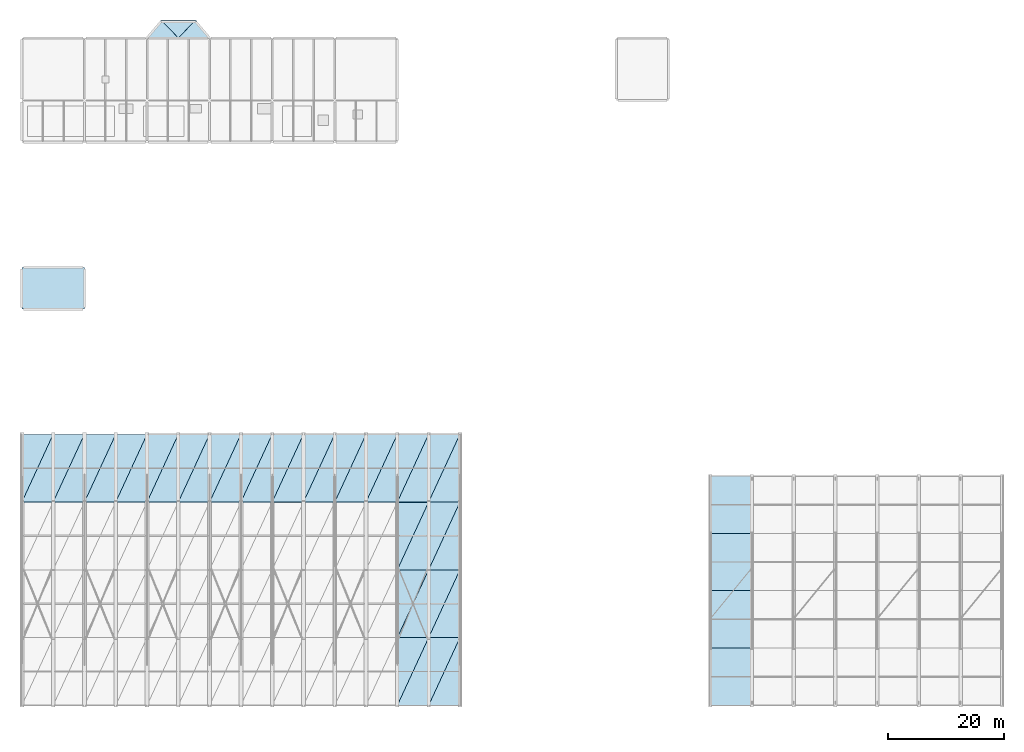
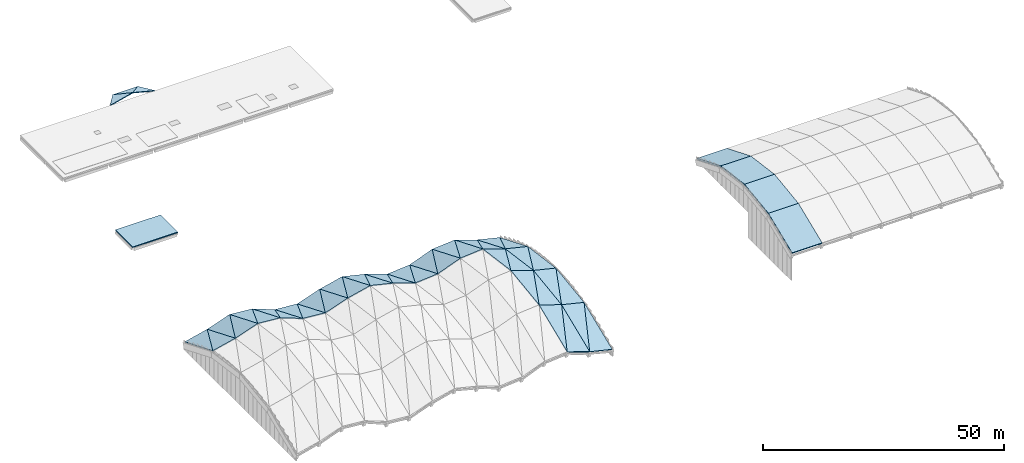
# One storey, part 7 of 22: 48 slabs.
"""IFC4 building model written with IfcOpenShell, lengths in metres."""

from ifc_helpers import new_model, si_unit, direction, frame, origin, place, context, subcontext, project, spatial, polyline, outline, extrude, material, layer, layer_set, type_object, element, save


model = new_model("IFC4")

# Units and contexts
model_context = context("Model", 3, precision=1e-05, world=origin(), true_north=direction((0.0, 1.0)))
body_context = subcontext(model_context, "Body", "Model", "MODEL_VIEW")
ifc_project = project(units=[si_unit("LENGTHUNIT", "METRE"), si_unit("AREAUNIT", "SQUARE_METRE"), si_unit("VOLUMEUNIT", "CUBIC_METRE"), si_unit("PLANEANGLEUNIT", "RADIAN"), si_unit("MASSUNIT", "GRAM", prefix="KILO")], contexts=[model_context])

# Site, building, storey
site_placement = place(None, origin())
site = spatial("IfcSite", under=ifc_project, at=site_placement, CompositionType="ELEMENT")
building_placement = place(site_placement, origin())
building = spatial("IfcBuilding", under=site, at=building_placement, Name="Lusvemor Sports Hall", CompositionType="ELEMENT")
storey_placement = place(building_placement, frame((0.0, 0.0, 23.39990234375)))
storey = spatial("IfcBuildingStorey", under=building, at=storey_placement, Name="Roof", CompositionType="ELEMENT", Elevation=23.39990234375)

# Slabs
ifc_material_1 = material(Name="Concrete C40/50", Category="concrete")
ifc_layer_1 = layer(ifc_material_1, 0.22998046875)
ifc_layer_set_1 = layer_set([ifc_layer_1], Name="Concrete C40/50")
slab_type_1 = type_object("IfcSlabType", Name="ROOF_AISLE_235", PredefinedType="ROOF", material=ifc_layer_set_1)
slab_1_placement = place(storey_placement, frame((0.0, 0.0, -0.22998046875)))
element("IfcSlab", 1, at=slab_1_placement, inside=storey, type_object=slab_type_1, Name="Roof Slab SLAB-ROOF-C3", PredefinedType="ROOF", context=body_context, shape_type="SweptSolid", body=[
    extrude(outline(polyline([(0.0, 68.39990234375), (10.800048828125, 68.39990234375), (10.800048828125, 75.60009765625), (0.0, 75.60009765625), (0.0, 68.39990234375)])), origin(), (0.0, 0.0, 1.0), 0.22998046875),
])
ifc_material_2 = material(Name="Concrete C40/50", Category="concrete")
ifc_layer_2 = layer(ifc_material_2, 0.169921875)
ifc_layer_set_2 = layer_set([ifc_layer_2], Name="Concrete C40/50")
slab_type_2 = type_object("IfcSlabType", Name="ROOF_LANTERN_170", PredefinedType="ROOF", material=ifc_layer_set_2)
slab_2_placement = place(storey_placement, frame((21.60009765625, 115.199951171875, 0.0), z_axis=(-0.238390056876, 0.184546720672, 0.953474010486), x_axis=(0.612145560658, 0.790745099616, 0.0)))
element("IfcSlab", 2, at=slab_2_placement, inside=storey, type_object=slab_type_2, Name="Art Nouveau Faceted Pavilion Roof BOW-N1-1", PredefinedType="ROOF", context=body_context, shape_type="SweptSolid", body=[
    extrude(outline(polyline([(0.0, 0.0), (3.9204765957499976, 2.220446049250313e-16), (3.305526247710608, -4.478303833947036), (0.0, 0.0)])), origin(), (0.0, 0.0, -1.0), 0.169921875),
])
slab_3_placement = place(storey_placement, frame((24.0, 118.300048828125, 0.0), z_axis=(0.0, 0.399280471996, 0.916828830634), x_axis=(1.0, 0.0, 0.0)))
element("IfcSlab", 3, at=slab_3_placement, inside=storey, type_object=slab_type_2, Name="Art Nouveau Faceted Pavilion Roof BOW-N1-2", PredefinedType="ROOF", context=body_context, shape_type="SweptSolid", body=[
    extrude(outline(polyline([(0.0, 0.0), (6.0, 0.0), (3.0, -3.3813265384606805), (0.0, 0.0)])), origin(), (0.0, 0.0, -1.0), 0.169921875),
])
slab_4_placement = place(storey_placement, frame((30.0, 118.300048828125, 0.0), z_axis=(0.238390056876, 0.184546720672, 0.953474010486), x_axis=(0.612145560658, -0.790745099616, 0.0)))
element("IfcSlab", 4, at=slab_4_placement, inside=storey, type_object=slab_type_2, Name="Art Nouveau Faceted Pavilion Roof BOW-N1-3", PredefinedType="ROOF", context=body_context, shape_type="SweptSolid", body=[
    extrude(outline(polyline([(0.0, 0.0), (3.9204765957499976, -2.220446049250313e-16), (0.6149503480393896, -4.478303833947036), (0.0, 0.0)])), origin(), (0.0, 0.0, -1.0), 0.169921875),
])
ifc_material_3 = material(Name="Concrete C40/50", Category="concrete")
ifc_layer_3 = layer(ifc_material_3, 0.360107421875)
ifc_layer_set_3 = layer_set([ifc_layer_3], Name="Concrete C40/50")
slab_type_3 = type_object("IfcSlabType", Name="ROOF_VAULT2_205", PredefinedType="ROOF", material=ifc_layer_set_3)
slab_5_placement = place(storey_placement, frame((118.800048828125, 0.0, -1.599853515625), z_axis=(0.0, -0.378639955723, 0.925544047536), x_axis=(1.0, 0.0, 0.0)))
element("IfcSlab", 5, at=slab_5_placement, inside=storey, type_object=slab_type_3, Name="East Barrel-Vault Roof Facet 13-1", PredefinedType="ROOF", context=body_context, shape_type="SweptSolid", body=[
    extrude(outline(polyline([(0.0, 0.0), (7.199951171875, 0.0), (7.199951171875, 10.696305994406828), (0.0, 10.696305994406828), (0.0, 0.0)])), origin(), (0.0, 0.0, -1.0), 0.360107421875),
])
slab_6_placement = place(storey_placement, frame((118.800048828125, 9.89990234375, 2.4501953125), z_axis=(0.0, -0.135096849146, 0.990832398214), x_axis=(1.0, 0.0, 0.0)))
element("IfcSlab", 6, at=slab_6_placement, inside=storey, type_object=slab_type_3, Name="East Barrel-Vault Roof Facet 13-2", PredefinedType="ROOF", context=body_context, shape_type="SweptSolid", body=[
    extrude(outline(polyline([(0.0, 0.0), (7.199951171875, 0.0), (7.199951171875, 9.991746840554352), (0.0, 9.991746840554352), (0.0, 0.0)])), origin(), (0.0, 0.0, -1.0), 0.360107421875),
])
slab_7_placement = place(storey_placement, frame((118.800048828125, 19.800048828125, 3.800048828125), z_axis=(0.0, 0.13510011995, 0.990831952245), x_axis=(1.0, 0.0, 0.0)))
element("IfcSlab", 7, at=slab_7_placement, inside=storey, type_object=slab_type_3, Name="East Barrel-Vault Roof Facet 13-3", PredefinedType="ROOF", context=body_context, shape_type="SweptSolid", body=[
    extrude(outline(polyline([(0.0, 0.0), (7.199951171875, 0.0), (7.199951171875, 9.99150493816782), (0.0, 9.99150493816782), (0.0, 0.0)])), origin(), (0.0, 0.0, -1.0), 0.360107421875),
])
slab_8_placement = place(storey_placement, frame((118.800048828125, 29.699951171875, 2.4501953125), z_axis=(0.0, 0.378631956987, 0.925547319778), x_axis=(1.0, 0.0, 0.0)))
element("IfcSlab", 8, at=slab_8_placement, inside=storey, type_object=slab_type_3, Name="East Barrel-Vault Roof Facet 13-4", PredefinedType="ROOF", context=body_context, shape_type="SweptSolid", body=[
    extrude(outline(polyline([(0.0, 0.0), (7.199951171875, 0.0), (7.199951171875, 10.696531957708505), (0.0, 10.696531957708505), (0.0, 0.0)])), origin(), (0.0, 0.0, -1.0), 0.360107421875),
])
ifc_material_4 = material(Name="Concrete C40/50", Category="concrete")
ifc_layer_4 = layer(ifc_material_4, 0.2099609375)
ifc_layer_set_4 = layer_set([ifc_layer_4], Name="Concrete C40/50")
slab_type_4 = type_object("IfcSlabType", Name="ROOF_WAVE_210", PredefinedType="ROOF", material=ifc_layer_set_4)
slab_9_placement = place(storey_placement, frame((64.800048828125, 11.699951171875, -2.981689453125), z_axis=(0.323734657307, -0.128778797008, 0.937342996506), x_axis=(0.945213463751, 0.0, -0.326452918419)))
element("IfcSlab", 9, at=slab_9_placement, inside=storey, type_object=slab_type_4, Name="Wave Barrel-Vault Roof Facet 13-2A", PredefinedType="ROOF", context=body_context, shape_type="SweptSolid", body=[
    extrude(outline(polyline([(0.0, 0.0), (5.712891903086462, -2.7755575615628914e-17), (5.188144340862129, 11.798190645367082), (0.0, 0.0)])), origin(), (0.0, 0.0, -1.0), 0.2099609375),
])
slab_10_placement = place(storey_placement, frame((64.800048828125, 11.699951171875, -2.981689453125), z_axis=(0.323734657307, -0.128778797008, 0.937342996506), x_axis=(0.418969683974, 0.907780276927, -0.019984312171)))
element("IfcSlab", 10, at=slab_10_placement, inside=storey, type_object=slab_type_4, Name="Wave Barrel-Vault Roof Facet 13-2B", PredefinedType="ROOF", context=body_context, shape_type="SweptSolid", body=[
    extrude(outline(polyline([(0.0, 0.0), (12.888527619788347, -5.551115123125783e-16), (10.588861694299036, 5.229595637092245), (0.0, 0.0)])), origin(), (0.0, 0.0, -1.0), 0.2099609375),
])
slab_11_placement = place(storey_placement, frame((64.800048828125, 23.39990234375, -1.374267578125), z_axis=(0.323734769333, 0.128776154424, 0.937343320868), x_axis=(0.945213463751, 0.0, -0.326452918419)))
element("IfcSlab", 11, at=slab_11_placement, inside=storey, type_object=slab_type_4, Name="Wave Barrel-Vault Roof Facet 13-3A", PredefinedType="ROOF", context=body_context, shape_type="SweptSolid", body=[
    extrude(outline(polyline([(0.0, 0.0), (5.712891903086462, 2.7755575615628914e-17), (6.237639465310796, 11.798432753159002), (0.0, 0.0)])), origin(), (0.0, 0.0, -1.0), 0.2099609375),
])
slab_12_placement = place(storey_placement, frame((64.800048828125, 23.39990234375, -1.374267578125), z_axis=(0.323734769333, 0.128776154424, 0.937343320868), x_axis=(0.404613470973, 0.876693009444, -0.260187060206)))
element("IfcSlab", 12, at=slab_12_placement, inside=storey, type_object=slab_type_4, Name="Wave Barrel-Vault Roof Facet 13-3B", PredefinedType="ROOF", context=body_context, shape_type="SweptSolid", body=[
    extrude(outline(polyline([(0.0, 0.0), (13.345829368383885, -3.3306690738754696e-16), (10.675709811770535, 5.050504474776929), (0.0, 0.0)])), origin(), (0.0, 0.0, -1.0), 0.2099609375),
])
slab_13_placement = place(storey_placement, frame((70.199951171875, 11.699951171875, -4.8466796875), z_axis=(0.230427791285, -0.132465510426, 0.964031079142), x_axis=(0.97260202241, 0.0, -0.232476463334)))
element("IfcSlab", 13, at=slab_13_placement, inside=storey, type_object=slab_type_4, Name="Wave Barrel-Vault Roof Facet 14-2A", PredefinedType="ROOF", context=body_context, shape_type="SweptSolid", body=[
    extrude(outline(polyline([(0.0, 0.0), (5.552267381672403, 0.0), (5.178522872137908, 11.8039723179804), (0.0, 0.0)])), origin(), (0.0, 0.0, -1.0), 0.2099609375),
])
slab_14_placement = place(storey_placement, frame((70.199951171875, 11.699951171875, -4.8466796875), z_axis=(0.230387134869, -0.132447077123, 0.964043328823), x_axis=(0.418942328076, 0.907679966925, 0.024584616929)))
element("IfcSlab", 14, at=slab_14_placement, inside=storey, type_object=slab_type_4, Name="Wave Barrel-Vault Roof Facet 14-2B", PredefinedType="ROOF", context=body_context, shape_type="SweptSolid", body=[
    extrude(outline(polyline([(0.0, 0.0), (12.889951963483146, -8.326672684688674e-17), (10.659329143747275, 5.084423734677086), (0.0, 0.0)])), origin(), (0.0, 0.0, -1.0), 0.2099609375),
])
slab_15_placement = place(storey_placement, frame((70.199951171875, 23.39990234375, -3.2392578125), z_axis=(0.230386605343, 0.132464125061, 0.96404111305), x_axis=(0.972611963853, 0.0, -0.232434867803)))
element("IfcSlab", 15, at=slab_15_placement, inside=storey, type_object=slab_type_4, Name="Wave Barrel-Vault Roof Facet 14-3A", PredefinedType="ROOF", context=body_context, shape_type="SweptSolid", body=[
    extrude(outline(polyline([(0.0, 0.0), (5.5522106298009, 2.7755575615628914e-17), (5.92588826761344, 11.804216424288457), (0.0, 0.0)])), origin(), (0.0, 0.0, -1.0), 0.2099609375),
])
slab_16_placement = place(storey_placement, frame((70.199951171875, 23.39990234375, -3.2392578125), z_axis=(0.230428489608, 0.132443031895, 0.964034000687), x_axis=(0.408849044596, 0.885830354591, -0.219424341444)))
element("IfcSlab", 16, at=slab_16_placement, inside=storey, type_object=slab_type_4, Name="Wave Barrel-Vault Roof Facet 14-3B", PredefinedType="ROOF", context=body_context, shape_type="SweptSolid", body=[
    extrude(outline(polyline([(0.0, 0.0), (13.208167062529153, 2.220446049250313e-16), (10.71709564880238, 4.96207983503859), (0.0, 0.0)])), origin(), (0.0, 0.0, -1.0), 0.2099609375),
])
ifc_material_5 = material(Name="Concrete C40/50", Category="concrete")
ifc_layer_5 = layer(ifc_material_5, 0.195068359375)
ifc_layer_set_5 = layer_set([ifc_layer_5], Name="Concrete C40/50")
slab_type_5 = type_object("IfcSlabType", Name="ROOF_WAVE_EAVE_195", PredefinedType="ROOF", material=ifc_layer_set_5)
slab_17_placement = place(storey_placement, frame((0.0, 35.10009765625, -6.137451171875), z_axis=(-0.215792060613, 0.372101201165, 0.902759371409), x_axis=(0.972599645813, 0.0, 0.232486405978)))
element("IfcSlab", 17, at=slab_17_placement, inside=storey, type_object=slab_type_5, Name="Wave Barrel-Vault Roof Facet 01-4A", PredefinedType="ROOF", context=body_context, shape_type="SweptSolid", body=[
    extrude(outline(polyline([(0.0, 0.0), (5.5520299302968805, 0.0), (4.430861967094661, 12.60509580535177), (0.0, 0.0)])), origin(), (0.0, 0.0, -1.0), 0.195068359375),
])
slab_18_placement = place(storey_placement, frame((0.0, 35.10009765625, -6.137451171875), z_axis=(-0.215792060613, 0.372101201165, 0.902759371409), x_axis=(0.404148784546, 0.875667881445, -0.264328434634)))
element("IfcSlab", 18, at=slab_18_placement, inside=storey, type_object=slab_type_5, Name="Wave Barrel-Vault Roof Facet 01-4B", PredefinedType="ROOF", context=body_context, shape_type="SweptSolid", body=[
    extrude(outline(polyline([(0.0, 0.0), (13.361174275996204, 0.0), (11.519997913038429, 5.2378531811609585), (0.0, 0.0)])), origin(), (0.0, 0.0, -1.0), 0.195068359375),
])
slab_19_placement = place(storey_placement, frame((5.39990234375, 35.10009765625, -4.8466796875), z_axis=(-0.304170036605, 0.363023278915, 0.880735310861), x_axis=(0.945218017812, 0.0, 0.326439732269)))
element("IfcSlab", 19, at=slab_19_placement, inside=storey, type_object=slab_type_5, Name="Wave Barrel-Vault Roof Facet 02-4A", PredefinedType="ROOF", context=body_context, shape_type="SweptSolid", body=[
    extrude(outline(polyline([(0.0, 0.0), (5.713122668648188, 0.0), (4.138863871891633, 12.556558728594485), (0.0, 0.0)])), origin(), (0.0, 0.0, -1.0), 0.195068359375),
])
slab_20_placement = place(storey_placement, frame((5.39990234375, 35.10009765625, -4.8466796875), z_axis=(-0.304170036605, 0.363023278915, 0.880735310861), x_axis=(0.408449251507, 0.884945679279, -0.2236970131)))
element("IfcSlab", 20, at=slab_20_placement, inside=storey, type_object=slab_type_5, Name="Wave Barrel-Vault Roof Facet 02-4B", PredefinedType="ROOF", context=body_context, shape_type="SweptSolid", body=[
    extrude(outline(polyline([(0.0, 0.0), (13.221095312215706, 8.881784197001252e-16), (11.432602267535406, 5.425961965969905), (0.0, 0.0)])), origin(), (0.0, 0.0, -1.0), 0.195068359375),
])
slab_21_placement = place(storey_placement, frame((10.800048828125, 35.10009765625, -2.981689453125), z_axis=(0.078633200823, 0.379899720775, 0.921679457232), x_axis=(0.996380411873, 0.0, -0.085006322326)))
element("IfcSlab", 21, at=slab_21_placement, inside=storey, type_object=slab_type_5, Name="Wave Barrel-Vault Roof Facet 03-4A", PredefinedType="ROOF", context=body_context, shape_type="SweptSolid", body=[
    extrude(outline(polyline([(0.0, 0.0), (5.419518769541163, 0.0), (5.829462589097788, 12.648217420989212), (0.0, 0.0)])), origin(), (0.0, 0.0, -1.0), 0.195068359375),
])
slab_22_placement = place(storey_placement, frame((10.800048828125, 35.10009765625, -2.981689453125), z_axis=(0.078633200823, 0.379899720775, 0.921679457232), x_axis=(0.387730330619, 0.840094069729, -0.379350951922)))
element("IfcSlab", 22, at=slab_22_placement, inside=storey, type_object=slab_type_5, Name="Wave Barrel-Vault Roof Facet 03-4B", PredefinedType="ROOF", context=body_context, shape_type="SweptSolid", body=[
    extrude(outline(polyline([(0.0, 0.0), (13.92695365133042, -1.6653345369377348e-16), (11.658483265853445, 4.921912819587819), (0.0, 0.0)])), origin(), (0.0, 0.0, -1.0), 0.195068359375),
])
slab_23_placement = place(storey_placement, frame((16.199951171875, 35.10009765625, -3.4423828125), z_axis=(0.334050869435, 0.359188584935, 0.871431911903), x_axis=(0.933745411849, 0.0, -0.35793785194)))
element("IfcSlab", 23, at=slab_23_placement, inside=storey, type_object=slab_type_5, Name="Wave Barrel-Vault Roof Facet 04-4A", PredefinedType="ROOF", context=body_context, shape_type="SweptSolid", body=[
    extrude(outline(polyline([(0.0, 0.0), (5.783317825019924, 0.0), (7.50947661148829, 12.536579824964456), (0.0, 0.0)])), origin(), (0.0, 0.0, -1.0), 0.195068359375),
])
slab_24_placement = place(storey_placement, frame((16.199951171875, 35.10009765625, -3.4423828125), z_axis=(0.334050869435, 0.359188584935, 0.871431911903), x_axis=(0.369528164025, 0.800619295834, -0.471654194437)))
element("IfcSlab", 24, at=slab_24_placement, inside=storey, type_object=slab_type_5, Name="Wave Barrel-Vault Roof Facet 04-4B", PredefinedType="ROOF", context=body_context, shape_type="SweptSolid", body=[
    extrude(outline(polyline([(0.0, 0.0), (14.613626267501006, 8.881784197001252e-16), (11.641763627194337, 4.961330216014921), (0.0, 0.0)])), origin(), (0.0, 0.0, -1.0), 0.195068359375),
])
slab_25_placement = place(storey_placement, frame((21.60009765625, 35.10009765625, -5.512451171875), z_axis=(0.078591787266, 0.379900965278, 0.921682476537), x_axis=(0.996384226422, 0.0, -0.084961599197)))
element("IfcSlab", 25, at=slab_25_placement, inside=storey, type_object=slab_type_5, Name="Wave Barrel-Vault Roof Facet 05-4A", PredefinedType="ROOF", context=body_context, shape_type="SweptSolid", body=[
    extrude(outline(polyline([(0.0, 0.0), (5.419498021503858, -2.7755575615628914e-17), (5.829226163332777, 12.64822440952093), (0.0, 0.0)])), origin(), (0.0, 0.0, -1.0), 0.195068359375),
])
slab_26_placement = place(storey_placement, frame((21.60009765625, 35.10009765625, -5.512451171875), z_axis=(0.078591787266, 0.379900965278, 0.921682476537), x_axis=(0.387732909013, 0.840099656326, -0.379335944395)))
element("IfcSlab", 26, at=slab_26_placement, inside=storey, type_object=slab_type_5, Name="Wave Barrel-Vault Roof Facet 05-4B", PredefinedType="ROOF", context=body_context, shape_type="SweptSolid", body=[
    extrude(outline(polyline([(0.0, 0.0), (13.92686103818389, 6.106226635438361e-16), (11.658476254817074, 4.9219294265231115), (0.0, 0.0)])), origin(), (0.0, 0.0, -1.0), 0.195068359375),
])
slab_27_placement = place(storey_placement, frame((27.0, 35.10009765625, -5.972900390625), z_axis=(-0.304182516335, 0.363021760367, 0.880731626692), x_axis=(0.945213463751, 0.0, 0.326452918419)))
element("IfcSlab", 27, at=slab_27_placement, inside=storey, type_object=slab_type_5, Name="Wave Barrel-Vault Roof Facet 06-4A", PredefinedType="ROOF", context=body_context, shape_type="SweptSolid", body=[
    extrude(outline(polyline([(0.0, 0.0), (5.712891903086462, 0.0), (4.138569515993927, 12.556550755892598), (0.0, 0.0)])), origin(), (0.0, 0.0, -1.0), 0.195068359375),
])
slab_28_placement = place(storey_placement, frame((27.0, 35.10009765625, -5.972900390625), z_axis=(-0.304182516335, 0.363021760367, 0.880731626692), x_axis=(0.408433866038, 0.884952353835, -0.223698700298)))
element("IfcSlab", 28, at=slab_28_placement, inside=storey, type_object=slab_type_5, Name="Wave Barrel-Vault Roof Facet 06-4B", PredefinedType="ROOF", context=body_context, shape_type="SweptSolid", body=[
    extrude(outline(polyline([(0.0, 0.0), (13.220995595038262, -2.220446049250313e-16), (11.432688496051309, 5.425780277164174), (0.0, 0.0)])), origin(), (0.0, 0.0, -1.0), 0.195068359375),
])
slab_29_placement = place(storey_placement, frame((32.39990234375, 35.10009765625, -4.10791015625), z_axis=(-0.215743844953, 0.372105261326, 0.902769221816), x_axis=(0.972611963853, 0.0, 0.232434867803)))
element("IfcSlab", 29, at=slab_29_placement, inside=storey, type_object=slab_type_5, Name="Wave Barrel-Vault Roof Facet 07-4A", PredefinedType="ROOF", context=body_context, shape_type="SweptSolid", body=[
    extrude(outline(polyline([(0.0, 0.0), (5.5522106298009, 0.0), (4.431291209951073, 12.60511790972267), (0.0, 0.0)])), origin(), (0.0, 0.0, -1.0), 0.195068359375),
])
slab_30_placement = place(storey_placement, frame((32.39990234375, 35.10009765625, -4.10791015625), z_axis=(-0.215743844953, 0.372105261326, 0.902769221816), x_axis=(0.404162120124, 0.875657185347, -0.264343478088)))
element("IfcSlab", 30, at=slab_30_placement, inside=storey, type_object=slab_type_5, Name="Wave Barrel-Vault Roof Facet 07-4B", PredefinedType="ROOF", context=body_context, shape_type="SweptSolid", body=[
    extrude(outline(polyline([(0.0, 0.0), (13.36133748190655, -2.220446049250313e-16), (11.51994531641782, 5.237968859257453), (0.0, 0.0)])), origin(), (0.0, 0.0, -1.0), 0.195068359375),
])
slab_31_placement = place(storey_placement, frame((37.800048828125, 35.10009765625, -2.8173828125), z_axis=(0.21575314513, 0.372104478248, 0.90276732198), x_axis=(0.972609588082, 0.0, -0.232444808871)))
element("IfcSlab", 31, at=slab_31_placement, inside=storey, type_object=slab_type_5, Name="Wave Barrel-Vault Roof Facet 08-4A", PredefinedType="ROOF", context=body_context, shape_type="SweptSolid", body=[
    extrude(outline(polyline([(0.0, 0.0), (5.551973175998167, 0.0), (6.672940536745827, 12.605113646451034), (0.0, 0.0)])), origin(), (0.0, 0.0, -1.0), 0.195068359375),
])
slab_32_placement = place(storey_placement, frame((37.800048828125, 35.10009765625, -2.8173828125), z_axis=(0.21575314513, 0.372104478248, 0.90276732198), x_axis=(0.378610153028, 0.820333410054, -0.428611068888)))
element("IfcSlab", 32, at=slab_32_placement, inside=storey, type_object=slab_type_5, Name="Wave Barrel-Vault Roof Facet 08-4B", PredefinedType="ROOF", context=body_context, shape_type="SweptSolid", body=[
    extrude(outline(polyline([(0.0, 0.0), (14.262434064594016, -1.3877787807814457e-16), (11.664841907655395, 4.906823935420358), (0.0, 0.0)])), origin(), (0.0, 0.0, -1.0), 0.195068359375),
])
slab_33_placement = place(storey_placement, frame((43.199951171875, 35.10009765625, -4.10791015625), z_axis=(0.304170036605, 0.363023278915, 0.880735310861), x_axis=(0.945218017812, 0.0, -0.326439732269)))
element("IfcSlab", 33, at=slab_33_placement, inside=storey, type_object=slab_type_5, Name="Wave Barrel-Vault Roof Facet 09-4A", PredefinedType="ROOF", context=body_context, shape_type="SweptSolid", body=[
    extrude(outline(polyline([(0.0, 0.0), (5.713122668648188, 0.0), (7.287381465404744, 12.556558728594485), (0.0, 0.0)])), origin(), (0.0, 0.0, -1.0), 0.195068359375),
])
slab_34_placement = place(storey_placement, frame((43.199951171875, 35.10009765625, -4.10791015625), z_axis=(0.304170036605, 0.363023278915, 0.880735310861), x_axis=(0.371961468404, 0.805891290308, -0.460634230414)))
element("IfcSlab", 34, at=slab_34_placement, inside=storey, type_object=slab_type_5, Name="Wave Barrel-Vault Roof Facet 09-4B", PredefinedType="ROOF", context=body_context, shape_type="SweptSolid", body=[
    extrude(outline(polyline([(0.0, 0.0), (14.518026578256661, -1.1102230246251565e-16), (11.650301820992173, 4.941247346935197), (0.0, 0.0)])), origin(), (0.0, 0.0, -1.0), 0.195068359375),
])
slab_35_placement = place(storey_placement, frame((48.60009765625, 35.10009765625, -5.972900390625), z_axis=(-0.078591787266, 0.379900965278, 0.921682476537), x_axis=(0.996384226422, 0.0, 0.084961599197)))
element("IfcSlab", 35, at=slab_35_placement, inside=storey, type_object=slab_type_5, Name="Wave Barrel-Vault Roof Facet 10-4A", PredefinedType="ROOF", context=body_context, shape_type="SweptSolid", body=[
    extrude(outline(polyline([(0.0, 0.0), (5.419498021503858, 2.7755575615628914e-17), (5.0097698796749395, 12.648224409520932), (0.0, 0.0)])), origin(), (0.0, 0.0, -1.0), 0.195068359375),
])
slab_36_placement = place(storey_placement, frame((48.60009765625, 35.10009765625, -5.972900390625), z_axis=(-0.078591787266, 0.379900965278, 0.921682476537), x_axis=(0.396927863734, 0.860022335371, -0.32063975682)))
element("IfcSlab", 36, at=slab_36_placement, inside=storey, type_object=slab_type_5, Name="Wave Barrel-Vault Roof Facet 10-4B", PredefinedType="ROOF", context=body_context, shape_type="SweptSolid", body=[
    extrude(outline(polyline([(0.0, 0.0), (13.604241065230333, 5.551115123125783e-16), (11.608507689079058, 5.038651317207817), (0.0, 0.0)])), origin(), (0.0, 0.0, -1.0), 0.195068359375),
])
slab_37_placement = place(storey_placement, frame((54.0, 35.10009765625, -5.512451171875), z_axis=(-0.334064287099, 0.359186772725, 0.871427515279), x_axis=(0.933740003011, 0.0, 0.357951961549)))
element("IfcSlab", 37, at=slab_37_placement, inside=storey, type_object=slab_type_5, Name="Wave Barrel-Vault Roof Facet 11-4A", PredefinedType="ROOF", context=body_context, shape_type="SweptSolid", body=[
    extrude(outline(polyline([(0.0, 0.0), (5.783089860491729, 0.0), (4.056863030298842, 12.536570455851548), (0.0, 0.0)])), origin(), (0.0, 0.0, -1.0), 0.195068359375),
])
slab_38_placement = place(storey_placement, frame((54.0, 35.10009765625, -5.512451171875), z_axis=(-0.334064287099, 0.359186772725, 0.871427515279), x_axis=(0.4098088724, 0.887931575732, -0.208888020049)))
element("IfcSlab", 38, at=slab_38_placement, inside=storey, type_object=slab_type_5, Name="Wave Barrel-Vault Roof Facet 11-4B", PredefinedType="ROOF", context=body_context, shape_type="SweptSolid", body=[
    extrude(outline(polyline([(0.0, 0.0), (13.1766360062474, 6.661338147750939e-16), (11.396120596638953, 5.5021716813153985), (0.0, 0.0)])), origin(), (0.0, 0.0, -1.0), 0.195068359375),
])
slab_39_placement = place(storey_placement, frame((59.39990234375, 35.10009765625, -3.4423828125), z_axis=(-0.078629667795, 0.37989982697, 0.921679714874), x_axis=(0.996380737374, 0.0, 0.085002506959)))
element("IfcSlab", 39, at=slab_39_placement, inside=storey, type_object=slab_type_5, Name="Wave Barrel-Vault Roof Facet 12-4A", PredefinedType="ROOF", context=body_context, shape_type="SweptSolid", body=[
    extrude(outline(polyline([(0.0, 0.0), (5.419762026517391, 2.7755575615628914e-17), (5.009836606605156, 12.648218017330247), (0.0, 0.0)])), origin(), (0.0, 0.0, -1.0), 0.195068359375),
])
slab_40_placement = place(storey_placement, frame((59.39990234375, 35.10009765625, -3.4423828125), z_axis=(-0.078629667795, 0.37989982697, 0.921679714874), x_axis=(0.396945266085, 0.860021157674, -0.320621371847)))
element("IfcSlab", 40, at=slab_40_placement, inside=storey, type_object=slab_type_5, Name="Wave Barrel-Vault Roof Facet 12-4B", PredefinedType="ROOF", context=body_context, shape_type="SweptSolid", body=[
    extrude(outline(polyline([(0.0, 0.0), (13.60425969462501, 4.440892098500626e-16), (11.608405248369248, 5.0388873229554365), (0.0, 0.0)])), origin(), (0.0, 0.0, -1.0), 0.195068359375),
])
slab_41_placement = place(storey_placement, frame((64.800048828125, 0.0, -7.80419921875), z_axis=(0.304182516335, -0.363021760367, 0.880731626692), x_axis=(0.945213463751, 0.0, -0.326452918419)))
element("IfcSlab", 41, at=slab_41_placement, inside=storey, type_object=slab_type_5, Name="Wave Barrel-Vault Roof Facet 13-1A", PredefinedType="ROOF", context=body_context, shape_type="SweptSolid", body=[
    extrude(outline(polyline([(0.0, 0.0), (5.712891903086462, 0.0), (4.138569515993927, 12.556550755892598), (0.0, 0.0)])), origin(), (0.0, 0.0, -1.0), 0.195068359375),
])
slab_42_placement = place(storey_placement, frame((64.800048828125, 0.0, -7.80419921875), z_axis=(0.304182516335, -0.363021760367, 0.880731626692), x_axis=(0.408433866038, 0.884952353835, 0.223698700298)))
element("IfcSlab", 42, at=slab_42_placement, inside=storey, type_object=slab_type_5, Name="Wave Barrel-Vault Roof Facet 13-1B", PredefinedType="ROOF", context=body_context, shape_type="SweptSolid", body=[
    extrude(outline(polyline([(0.0, 0.0), (13.220995595038262, -2.220446049250313e-16), (11.432688496051309, 5.425780277164174), (0.0, 0.0)])), origin(), (0.0, 0.0, -1.0), 0.195068359375),
])
slab_43_placement = place(storey_placement, frame((64.800048828125, 35.10009765625, -2.981689453125), z_axis=(0.304182516335, 0.363021760367, 0.880731626692), x_axis=(0.945213463751, 0.0, -0.326452918419)))
element("IfcSlab", 43, at=slab_43_placement, inside=storey, type_object=slab_type_5, Name="Wave Barrel-Vault Roof Facet 13-4A", PredefinedType="ROOF", context=body_context, shape_type="SweptSolid", body=[
    extrude(outline(polyline([(0.0, 0.0), (5.712891903086462, 0.0), (7.287214290178998, 12.556550755892598), (0.0, 0.0)])), origin(), (0.0, 0.0, -1.0), 0.195068359375),
])
slab_44_placement = place(storey_placement, frame((64.800048828125, 35.10009765625, -2.981689453125), z_axis=(0.304182516335, 0.363021760367, 0.880731626692), x_axis=(0.371946978525, 0.805896331127, -0.460637111663)))
element("IfcSlab", 44, at=slab_44_placement, inside=storey, type_object=slab_type_5, Name="Wave Barrel-Vault Roof Facet 13-4B", PredefinedType="ROOF", context=body_context, shape_type="SweptSolid", body=[
    extrude(outline(polyline([(0.0, 0.0), (14.51793576912007, -8.881784197001252e-16), (11.650374693187384, 4.941075527873121), (0.0, 0.0)])), origin(), (0.0, 0.0, -1.0), 0.195068359375),
])
slab_45_placement = place(storey_placement, frame((70.199951171875, 0.0, -9.669189453125), z_axis=(0.215782758923, -0.372101984519, 0.902761271914), x_axis=(0.97260202241, 0.0, -0.232476463334)))
element("IfcSlab", 45, at=slab_45_placement, inside=storey, type_object=slab_type_5, Name="Wave Barrel-Vault Roof Facet 14-1A", PredefinedType="ROOF", context=body_context, shape_type="SweptSolid", body=[
    extrude(outline(polyline([(0.0, 0.0), (5.552267381672403, 5.551115123125783e-17), (4.431147366967031, 12.605100070068252), (0.0, 0.0)])), origin(), (0.0, 0.0, -1.0), 0.195068359375),
])
slab_46_placement = place(storey_placement, frame((70.199951171875, 0.0, -9.669189453125), z_axis=(0.215782758923, -0.372101984519, 0.902761271914), x_axis=(0.404164072225, 0.875661414768, 0.264326482608)))
element("IfcSlab", 46, at=slab_46_placement, inside=storey, type_object=slab_type_5, Name="Wave Barrel-Vault Roof Facet 14-1B", PredefinedType="ROOF", context=body_context, shape_type="SweptSolid", body=[
    extrude(outline(polyline([(0.0, 0.0), (13.361272946999234, 0.0), (11.519912839576229, 5.238040285486019), (0.0, 0.0)])), origin(), (0.0, 0.0, -1.0), 0.195068359375),
])
slab_47_placement = place(storey_placement, frame((70.199951171875, 35.10009765625, -4.8466796875), z_axis=(0.215782758923, 0.372101984519, 0.902761271914), x_axis=(0.97260202241, 0.0, -0.232476463334)))
element("IfcSlab", 47, at=slab_47_placement, inside=storey, type_object=slab_type_5, Name="Wave Barrel-Vault Roof Facet 14-4A", PredefinedType="ROOF", context=body_context, shape_type="SweptSolid", body=[
    extrude(outline(polyline([(0.0, 0.0), (5.552267381672403, -5.551115123125783e-17), (6.673387396377773, 12.605100070068252), (0.0, 0.0)])), origin(), (0.0, 0.0, -1.0), 0.195068359375),
])
slab_48_placement = place(storey_placement, frame((70.199951171875, 35.10009765625, -4.8466796875), z_axis=(0.215782758923, 0.372101984519, 0.902761271914), x_axis=(0.378622038968, 0.820322074843, -0.428622263925)))
element("IfcSlab", 48, at=slab_48_placement, inside=storey, type_object=slab_type_5, Name="Wave Barrel-Vault Roof Facet 14-4B", PredefinedType="ROOF", context=body_context, shape_type="SweptSolid", body=[
    extrude(outline(polyline([(0.0, 0.0), (14.262631142905171, 2.220446049250313e-16), (11.66476327442261, 4.907010863600079), (0.0, 0.0)])), origin(), (0.0, 0.0, -1.0), 0.195068359375),
])

save(model, "model.ifc")
